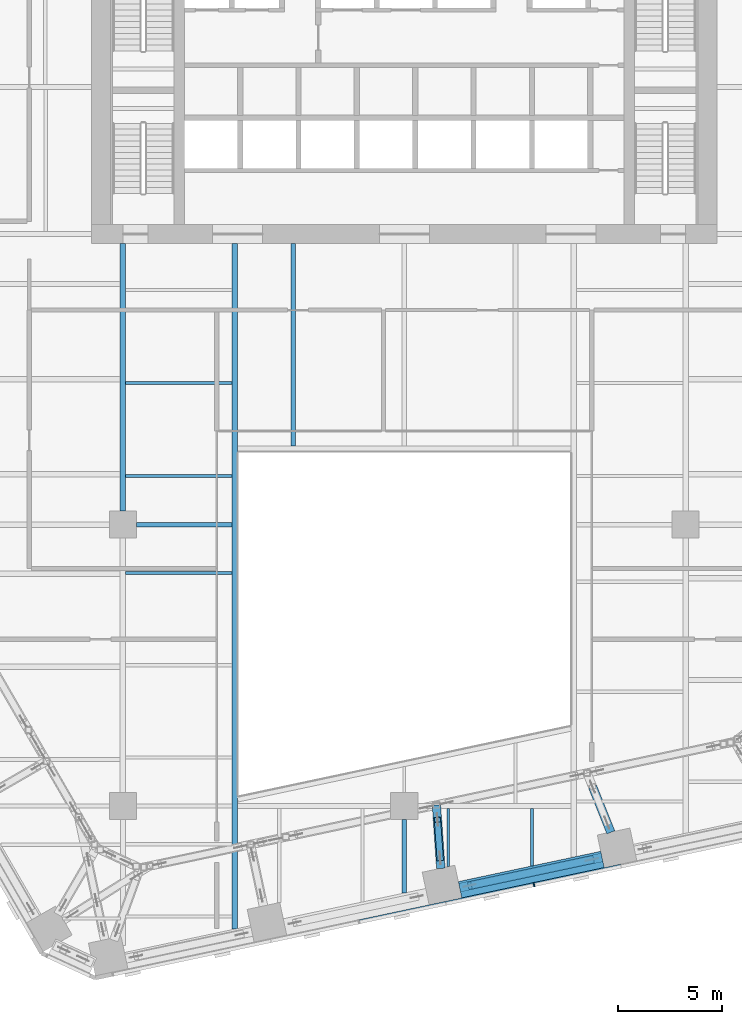
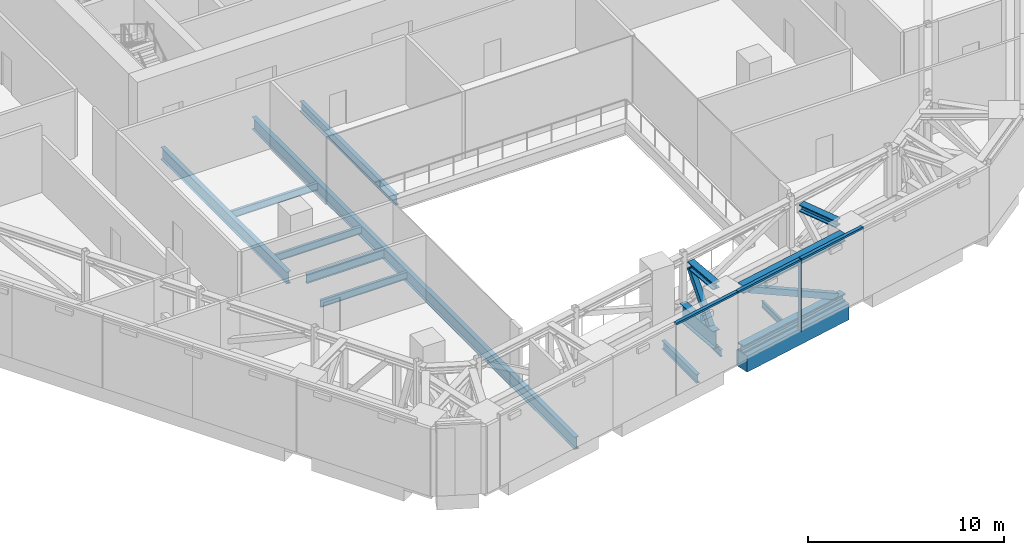
# One storey, part 5 of 36: 11 beams, 11 members, 1 element without a shape of its own.
"""IFC4 building model written with IfcOpenShell, lengths in metres."""

from ifc_helpers import new_model, si_unit, direction, frame, origin, origin_2d, place, context, subcontext, project, spatial, rectangle, hollow_rectangle, i_section, extrude, material, layer, layer_set, material_profile, profile_set, type_object, element, aggregate, save


model = new_model("IFC4")

# Units and contexts
model_context = context("Model", 3, precision=1e-05, world=origin(), true_north=direction((0.0, 1.0)))
body_context = subcontext(model_context, "Body", "Model", "MODEL_VIEW")
ifc_project = project(units=[si_unit("LENGTHUNIT", "METRE"), si_unit("AREAUNIT", "SQUARE_METRE"), si_unit("VOLUMEUNIT", "CUBIC_METRE"), si_unit("PLANEANGLEUNIT", "RADIAN"), si_unit("MASSUNIT", "GRAM", prefix="KILO")], contexts=[model_context])

# Site, building, storey
site_placement = place(None, origin())
site = spatial("IfcSite", under=ifc_project, at=site_placement, CompositionType="ELEMENT")
building_placement = place(site_placement, origin())
building = spatial("IfcBuilding", under=site, at=building_placement, Name="Isthmus Gate Tower", CompositionType="ELEMENT")
storey_placement = place(building_placement, frame((0.0, 0.0, 117.14990234375)))
storey = spatial("IfcBuildingStorey", under=building, at=storey_placement, Name="L28", CompositionType="ELEMENT", Elevation=117.14990234375)

# Members
ifc_material_1 = material(Name="Structural steel ASTM A913 Gr 65", Category="steel")
ifc_material_profile_1 = material_profile(ifc_material_1, i_section(OverallWidth=0.4287109375, OverallDepth=0.482666015625, WebThickness=0.05078125, FlangeThickness=0.0810546875, at=origin_2d()), Name="W14X455")
ifc_profile_set_1 = profile_set([ifc_material_profile_1], Name="Structural steel ASTM A913 Gr 65")
member_type_1 = type_object("IfcMemberType", Name="BELT TRUSS CHORD W14X455", PredefinedType="CHORD", material=ifc_profile_set_1)
for number, where, z_axis, x_axis, name in (
    (1, (9.492919921875, -29.470947265625, 0.241455078125), (-0.978142069472, -0.207937711658, 0.0), (0.207937711658, -0.978142069472, 0.0), "str-belt11-L28-01"),
    (2, (9.492919921875, -29.470947265625, 3.958740234375), (-0.978142069472, -0.207937711658, 0.0), (0.207937711658, -0.978142069472, 0.0), "str-belt11-L28-02"),
):
    element("IfcMember", number, at=place(storey_placement, frame(where, z_axis=z_axis, x_axis=x_axis)), inside=storey, type_object=member_type_1, Name=name, PredefinedType="CHORD", context=body_context, shape_type="SweptSolid", body=[
        extrude(i_section(OverallWidth=0.4287109375, OverallDepth=0.482666015625, WebThickness=0.05078125, FlangeThickness=0.0810546875, at=origin_2d()), origin(), (0.0, 0.0, 1.0), 6.989501953125),
    ])

# Curtain wall, members
ifc_material_2 = material(Name="Aluminium, pale champagne anodised", Category="aluminium")
ifc_layer = layer(ifc_material_2, 0.199951171875)
ifc_layer_set = layer_set([ifc_layer], Name="CW-2 LOUVRE CURTAIN WALL 200 DEEP")
curtain_wall_type = type_object("IfcCurtainWallType", Name="CW-2 LOUVRE CURTAIN WALL 200 DEEP", PredefinedType="NOTDEFINED", material=ifc_layer_set)
curtain_wall_placement = place(storey_placement, origin())
curtain_wall = element("IfcCurtainWall", 3, at=curtain_wall_placement, inside=storey, type_object=curtain_wall_type, Name="CW-2 S L28", PredefinedType="NOTDEFINED")
ifc_material_3 = material(Name="Aluminium, pale champagne anodised", Category="aluminium")
ifc_material_profile_2 = material_profile(ifc_material_3, rectangle(XDim=0.06005859375, YDim=0.199951171875, at=origin_2d()), Name="60x200")
ifc_profile_set_2 = profile_set([ifc_material_profile_2], Name="Aluminium, pale champagne anodised")
member_type_2 = type_object("IfcMemberType", Name="CW-2 MULLION 60 X 200", PredefinedType="MULLION", material=ifc_profile_set_2)
member_1_placement = place(storey_placement, frame((6.228759765625, -30.7783203125, 0.0), z_axis=(0.0, 0.0, 1.0), x_axis=(0.978147600734, 0.207911690818, 0.0)))
member_1 = element("IfcMember", 4, at=member_1_placement, type_object=member_type_2, Name="CW-2 mullion", PredefinedType="MULLION", context=body_context, shape_type="SweptSolid", body=[
    extrude(rectangle(XDim=0.06005859375, YDim=0.199951171875, at=origin_2d()), origin(), (0.0, 0.0, 1.0), 4.5),
])
ifc_material_4 = material(Name="Aluminium, pale champagne anodised", Category="aluminium")
ifc_material_profile_3 = material_profile(ifc_material_4, rectangle(XDim=0.199951171875, YDim=0.1201171875, at=origin_2d()), Name="200x120")
ifc_profile_set_3 = profile_set([ifc_material_profile_3], Name="Aluminium, pale champagne anodised")
member_type_3 = type_object("IfcMemberType", Name="CW-2 TRANSOM 200 X 120", PredefinedType="USERDEFINED", material=ifc_profile_set_3)
member_2_placement = place(storey_placement, frame((-2.1435546875, -32.557861328125, 4.440185546875), z_axis=(0.978150351608, 0.20789874855, 0.0), x_axis=(-0.20789874855, 0.978150351608, 0.0)))
member_2 = element("IfcMember", 5, at=member_2_placement, type_object=member_type_3, Name="CW-2 transom", ObjectType="TRANSOM", PredefinedType="USERDEFINED", context=body_context, shape_type="SweptSolid", body=[
    extrude(rectangle(XDim=0.199951171875, YDim=0.1201171875, at=origin_2d()), origin(), (0.0, 0.0, 1.0), 4.234619140625),
])
member_3_placement = place(storey_placement, frame((1.99853515625, -31.677490234375, 4.440185546875), z_axis=(0.97813890815, 0.207952582007, 0.0), x_axis=(-0.207952582007, 0.97813890815, 0.0)))
member_3 = element("IfcMember", 6, at=member_3_placement, type_object=member_type_3, Name="CW-2 transom", ObjectType="TRANSOM", PredefinedType="USERDEFINED", context=body_context, shape_type="SweptSolid", body=[
    extrude(rectangle(XDim=0.199951171875, YDim=0.1201171875, at=origin_2d()), origin(), (0.0, 0.0, 1.0), 4.294677734375),
])
member_4_placement = place(storey_placement, frame((6.258056640625, -30.77197265625, 4.440185546875), z_axis=(0.978150351608, 0.20789874855, 0.0), x_axis=(-0.20789874855, 0.978150351608, 0.0)))
member_4 = element("IfcMember", 7, at=member_4_placement, type_object=member_type_3, Name="CW-2 transom", ObjectType="TRANSOM", PredefinedType="USERDEFINED", context=body_context, shape_type="SweptSolid", body=[
    extrude(rectangle(XDim=0.199951171875, YDim=0.1201171875, at=origin_2d()), origin(), (0.0, 0.0, 1.0), 4.234619140625),
])
aggregate(curtain_wall, [member_2, member_3, member_1, member_4])

# Beams
ifc_material_5 = material(Name="Concrete f'c 70 MPa", Category="concrete")
ifc_material_profile_4 = material_profile(ifc_material_5, rectangle(XDim=0.800048828125, YDim=1.0, at=origin_2d()), Name="RC 800X1000")
ifc_profile_set_4 = profile_set([ifc_material_profile_4], Name="Concrete f'c 70 MPa")
beam_type_1 = type_object("IfcBeamType", Name="RC SPANDREL 800 X 1000", PredefinedType="SPANDREL", material=ifc_profile_set_4)
beam_1_placement = place(storey_placement, frame((9.513671875, -29.56884765625, -0.5), z_axis=(-0.978149173437, -0.207904291694, 0.0), x_axis=(0.207904291694, -0.978149173437, 0.0)))
element("IfcBeam", 8, at=beam_1_placement, inside=storey, type_object=beam_type_1, Name="str-spandrel-L28-11", PredefinedType="SPANDREL", context=body_context, shape_type="SweptSolid", body=[
    extrude(rectangle(XDim=0.800048828125, YDim=1.0, at=origin_2d()), origin(), (0.0, 0.0, 1.0), 6.989501953125),
])
ifc_material_6 = material(Name="Structural steel ASTM A992 Gr 50", Category="steel")
ifc_material_profile_5 = material_profile(ifc_material_6, i_section(OverallWidth=0.1396484375, OverallDepth=0.4033203125, WebThickness=0.00634765625, FlangeThickness=0.010986328125, at=origin_2d()), Name="W16X31")
ifc_profile_set_5 = profile_set([ifc_material_profile_5], Name="Structural steel ASTM A992 Gr 50")
beam_type_2 = type_object("IfcBeamType", Name="STEEL FLOOR BEAM W16X31", PredefinedType="JOIST", material=ifc_profile_set_5)
beam_2_placement = place(storey_placement, frame((2.111572265625, -29.91552734375, -0.50146484375), z_axis=(0.0, 1.0, 0.0), x_axis=(-1.0, 0.0, 0.0)))
element("IfcBeam", 9, at=beam_2_placement, inside=storey, type_object=beam_type_2, Name="str-beam-L28-19-00", PredefinedType="JOIST", context=body_context, shape_type="SweptSolid", body=[
    extrude(i_section(OverallWidth=0.1396484375, OverallDepth=0.4033203125, WebThickness=0.00634765625, FlangeThickness=0.010986328125, at=origin_2d()), origin(), (0.0, 0.0, 1.0), 2.80126953125),
])
beam_3_placement = place(storey_placement, frame((6.125, -29.880126953125, -0.50146484375), z_axis=(0.0, 1.0, 0.0), x_axis=(-1.0, 0.0, 0.0)))
element("IfcBeam", 10, at=beam_3_placement, inside=storey, type_object=beam_type_2, Name="str-beam-L28-19-01", PredefinedType="JOIST", context=body_context, shape_type="SweptSolid", body=[
    extrude(i_section(OverallWidth=0.1396484375, OverallDepth=0.4033203125, WebThickness=0.00634765625, FlangeThickness=0.010986328125, at=origin_2d()), origin(), (0.0, 0.0, 1.0), 2.765869140625),
])
ifc_material_7 = material(Name="Structural steel ASTM A992 Gr 50", Category="steel")
ifc_material_profile_6 = material_profile(ifc_material_7, i_section(OverallWidth=0.15234375, OverallDepth=0.45068359375, WebThickness=0.0078125, FlangeThickness=0.010986328125, at=origin_2d()), Name="W18X35")
ifc_profile_set_6 = profile_set([ifc_material_profile_6], Name="Structural steel ASTM A992 Gr 50")
beam_type_3 = type_object("IfcBeamType", Name="STEEL FLOOR BEAM W18X35", PredefinedType="JOIST", material=ifc_profile_set_6)
for number, where, z_axis, x_axis, name in (
    (11, (-13.3681640625, -11.16259765625, -0.525390625), (1.0, 0.0, 0.0), (0.0, 1.0, 0.0), "str-beam-L28-12-00"),
    (12, (-13.3681640625, -6.697509765625, -0.525390625), (1.0, 0.0, 0.0), (0.0, 1.0, 0.0), "str-beam-L28-12-01"),
    (13, (-13.3681640625, -15.81982421875, -0.525390625), (1.0, 0.0, 0.0), (0.0, 1.0, 0.0), "str-beam-L28-13-02"),
):
    element("IfcBeam", number, at=place(storey_placement, frame(where, z_axis=z_axis, x_axis=x_axis)), inside=storey, type_object=beam_type_3, Name=name, PredefinedType="JOIST", context=body_context, shape_type="SweptSolid", body=[
        extrude(i_section(OverallWidth=0.15234375, OverallDepth=0.45068359375, WebThickness=0.0078125, FlangeThickness=0.010986328125, at=origin_2d()), origin(), (0.0, 0.0, 1.0), 5.1015625),
    ])
ifc_material_8 = material(Name="Structural steel ASTM A992 Gr 50", Category="steel")
ifc_material_profile_7 = material_profile(ifc_material_8, i_section(OverallWidth=0.228515625, OverallDepth=0.603271484375, WebThickness=0.010986328125, FlangeThickness=0.014404296875, at=origin_2d()), Name="W24X68")
ifc_profile_set_7 = profile_set([ifc_material_profile_7], Name="Structural steel ASTM A992 Gr 50")
beam_type_4 = type_object("IfcBeamType", Name="STEEL FLOOR BEAM W24X68", PredefinedType="JOIST", material=ifc_profile_set_7)
beam_4_placement = place(storey_placement, frame((-5.333251953125, -9.7333984375, -0.6015625), z_axis=(0.0, 1.0, 0.0), x_axis=(-1.0, 0.0, 0.0)))
element("IfcBeam", 14, at=beam_4_placement, inside=storey, type_object=beam_type_4, Name="str-beam-L28-17-00", PredefinedType="JOIST", context=body_context, shape_type="SweptSolid", body=[
    extrude(i_section(OverallWidth=0.228515625, OverallDepth=0.603271484375, WebThickness=0.010986328125, FlangeThickness=0.014404296875, at=origin_2d()), origin(), (0.0, 0.0, 1.0), 9.7333984375),
])
ifc_material_9 = material(Name="Structural steel ASTM A992 Gr 50", Category="steel")
ifc_material_profile_8 = material_profile(ifc_material_9, i_section(OverallWidth=0.20947265625, OverallDepth=0.533447265625, WebThickness=0.009521484375, FlangeThickness=0.015869140625, at=origin_2d()), Name="W21X62")
ifc_profile_set_8 = profile_set([ifc_material_profile_8], Name="Structural steel ASTM A992 Gr 50")
beam_type_5 = type_object("IfcBeamType", Name="STEEL GIRDER W21X62", PredefinedType="BEAM", material=ifc_profile_set_8)
beam_5_placement = place(storey_placement, frame((-12.85009765625, -13.5, -0.566650390625), z_axis=(1.0, 0.0, 0.0), x_axis=(0.0, 1.0, 0.0)))
element("IfcBeam", 15, at=beam_5_placement, inside=storey, type_object=beam_type_5, Name="str-girder-L28-06", PredefinedType="BEAM", context=body_context, shape_type="SweptSolid", body=[
    extrude(i_section(OverallWidth=0.20947265625, OverallDepth=0.533447265625, WebThickness=0.009521484375, FlangeThickness=0.015869140625, at=origin_2d()), origin(), (0.0, 0.0, 1.0), 4.58349609375),
])
beam_6_placement = place(storey_placement, frame((0.0, -31.18212890625, -0.566650390625), z_axis=(0.0, 1.0, 0.0), x_axis=(-1.0, 0.0, 0.0)))
element("IfcBeam", 16, at=beam_6_placement, inside=storey, type_object=beam_type_5, Name="str-girder-L28-29", PredefinedType="BEAM", context=body_context, shape_type="SweptSolid", body=[
    extrude(i_section(OverallWidth=0.20947265625, OverallDepth=0.533447265625, WebThickness=0.009521484375, FlangeThickness=0.015869140625, at=origin_2d()), origin(), (0.0, 0.0, 1.0), 3.5322265625),
])
ifc_material_10 = material(Name="Structural steel ASTM A992 Gr 50", Category="steel")
ifc_material_profile_9 = material_profile(ifc_material_10, i_section(OverallWidth=0.263427734375, OverallDepth=0.749267578125, WebThickness=0.0126953125, FlangeThickness=0.015869140625, at=origin_2d()), Name="W30X90")
ifc_profile_set_9 = profile_set([ifc_material_profile_9], Name="Structural steel ASTM A992 Gr 50")
beam_type_6 = type_object("IfcBeamType", Name="STEEL GIRDER W30X90", PredefinedType="BEAM", material=ifc_profile_set_9)
beam_7_placement = place(storey_placement, frame((-13.5, -12.85009765625, -0.674560546875), z_axis=(0.0, 1.0, 0.0), x_axis=(-1.0, 0.0, 0.0)))
element("IfcBeam", 17, at=beam_7_placement, inside=storey, type_object=beam_type_6, Name="str-girder-L28-26", PredefinedType="BEAM", context=body_context, shape_type="SweptSolid", body=[
    extrude(i_section(OverallWidth=0.263427734375, OverallDepth=0.749267578125, WebThickness=0.0126953125, FlangeThickness=0.015869140625, at=origin_2d()), origin(), (0.0, 0.0, 1.0), 12.85009765625),
])
ifc_material_11 = material(Name="Structural steel ASTM A992 Gr 50", Category="steel")
ifc_material_profile_10 = material_profile(ifc_material_11, i_section(OverallWidth=0.2666015625, OverallDepth=0.7587890625, WebThickness=0.014404296875, FlangeThickness=0.01904296875, at=origin_2d()), Name="W30X108")
ifc_profile_set_10 = profile_set([ifc_material_profile_10], Name="Structural steel ASTM A992 Gr 50")
beam_type_7 = type_object("IfcBeamType", Name="STEEL TRIMMER W30X108", PredefinedType="BEAM", material=ifc_profile_set_10)
beam_8_placement = place(storey_placement, frame((-8.13330078125, 0.0, -0.67919921875), z_axis=(0.0, -1.0, 0.0), x_axis=(1.0, 0.0, 0.0)))
element("IfcBeam", 18, at=beam_8_placement, inside=storey, type_object=beam_type_7, Name="str-trimmer-L28-02", PredefinedType="BEAM", context=body_context, shape_type="SweptSolid", body=[
    extrude(i_section(OverallWidth=0.2666015625, OverallDepth=0.7587890625, WebThickness=0.014404296875, FlangeThickness=0.01904296875, at=origin_2d()), origin(), (0.0, 0.0, 1.0), 32.910888671875),
])

# Members
ifc_material_12 = material(Name="Structural steel ASTM A913 Gr 65", Category="steel")
ifc_material_profile_11 = material_profile(ifc_material_12, i_section(OverallWidth=0.40966796875, OverallDepth=0.42529296875, WebThickness=0.033203125, FlangeThickness=0.052490234375, at=origin_2d()), Name="W14X283")
ifc_profile_set_11 = profile_set([ifc_material_profile_11], Name="Structural steel ASTM A913 Gr 65")
member_type_4 = type_object("IfcMemberType", Name="TRANSFER TRUSS CHORD W14X283", PredefinedType="CHORD", material=ifc_profile_set_11)
member_5_placement = place(storey_placement, frame((1.755859375, -29.9990234375, 3.887451171875), z_axis=(-0.069284799206, 0.997596920905, 0.0), x_axis=(-0.997596920905, -0.069284799206, 0.0)))
element("IfcMember", 19, at=member_5_placement, inside=storey, type_object=member_type_4, Name="str-link15-L28-02", PredefinedType="CHORD", context=body_context, shape_type="SweptSolid", body=[
    extrude(i_section(OverallWidth=0.40966796875, OverallDepth=0.42529296875, WebThickness=0.033203125, FlangeThickness=0.052490234375, at=origin_2d()), origin(), (0.0, 0.0, 1.0), 2.34326171875),
])
member_6_placement = place(storey_placement, frame((9.91552734375, -28.268798828125, 3.887451171875), z_axis=(-0.37192588302, 0.928262429241, 0.0), x_axis=(-0.928262429241, -0.37192588302, 0.0)))
element("IfcMember", 20, at=member_6_placement, inside=storey, type_object=member_type_4, Name="str-link16-L28-02", PredefinedType="CHORD", context=body_context, shape_type="SweptSolid", body=[
    extrude(i_section(OverallWidth=0.40966796875, OverallDepth=0.42529296875, WebThickness=0.033203125, FlangeThickness=0.052490234375, at=origin_2d()), origin(), (0.0, 0.0, 1.0), 2.359130859375),
])
ifc_material_13 = material(Name="Structural steel ASTM A913 Gr 65", Category="steel")
ifc_material_profile_12 = material_profile(ifc_material_13, i_section(OverallWidth=0.39990234375, OverallDepth=1.089111328125, WebThickness=0.017578125, FlangeThickness=0.03173828125, at=origin_2d()), Name="W44X230")
ifc_profile_set_12 = profile_set([ifc_material_profile_12], Name="Structural steel ASTM A913 Gr 65")
member_type_5 = type_object("IfcMemberType", Name="TRANSFER TRUSS CHORD W44X230", PredefinedType="CHORD", material=ifc_profile_set_12)
member_7_placement = place(storey_placement, frame((1.755859375, -29.9990234375, 0.544677734375), z_axis=(-0.0693130004, 0.997594961884, 0.0), x_axis=(-0.997594961884, -0.0693130004, 0.0)))
element("IfcMember", 21, at=member_7_placement, inside=storey, type_object=member_type_5, Name="str-link15-L28-01", PredefinedType="CHORD", context=body_context, shape_type="SweptSolid", body=[
    extrude(i_section(OverallWidth=0.39990234375, OverallDepth=1.089111328125, WebThickness=0.017578125, FlangeThickness=0.03173828125, at=origin_2d()), origin(), (0.0, 0.0, 1.0), 3.05029296875),
])
ifc_material_14 = material(Name="Structural steel ASTM A500 Gr C", Category="steel")
ifc_material_profile_13 = material_profile(ifc_material_14, hollow_rectangle(XDim=0.3046875, YDim=0.3046875, WallThickness=0.014892578125, at=origin_2d()), Name="HSS12X12X5/8")
ifc_profile_set_13 = profile_set([ifc_material_profile_13], Name="Structural steel ASTM A500 Gr C")
member_type_6 = type_object("IfcMemberType", Name="TRANSFER TRUSS DIAGONAL HSS12X12X5/8", PredefinedType="BRACE", material=ifc_profile_set_13)
member_8_placement = place(storey_placement, frame((1.72119140625, -29.500244140625, 1.089111328125), z_axis=(-0.040210094423, 0.579086866528, 0.814273632952), x_axis=(-0.997597929476, -0.069270275772, 0.0)))
element("IfcMember", 22, at=member_8_placement, inside=storey, type_object=member_type_6, Name="str-link15-L28-03", PredefinedType="BRACE", context=body_context, shape_type="SweptSolid", body=[
    extrude(hollow_rectangle(XDim=0.3046875, YDim=0.3046875, WallThickness=0.014892578125, at=origin_2d()), origin(), (0.0, 0.0, 1.0), 3.175537109375),
])
ifc_material_15 = material(Name="Structural steel ASTM A500 Gr C", Category="steel")
ifc_material_profile_14 = material_profile(ifc_material_15, hollow_rectangle(XDim=0.355712890625, YDim=0.355712890625, WallThickness=0.017578125, at=origin_2d()), Name="HSS14X14X3/4")
ifc_profile_set_14 = profile_set([ifc_material_profile_14], Name="Structural steel ASTM A500 Gr C")
member_type_7 = type_object("IfcMemberType", Name="TRUSS DIAGONAL HSS14X14X3/4", PredefinedType="BRACE", material=ifc_profile_set_14)
member_9_placement = place(storey_placement, frame((9.00390625, -29.574951171875, 0.482666015625), z_axis=(-0.860644645153, -0.182945715503, 0.475206965382), x_axis=(0.207922617963, -0.978145278034, 0.0)))
element("IfcMember", 23, at=member_9_placement, inside=storey, type_object=member_type_7, Name="str-belt11-L28-03", PredefinedType="BRACE", context=body_context, shape_type="SweptSolid", body=[
    extrude(hollow_rectangle(XDim=0.355712890625, YDim=0.355712890625, WallThickness=0.017578125, at=origin_2d()), origin(), (0.0, 0.0, 1.0), 6.807373046875),
])

save(model, "model.ifc")
